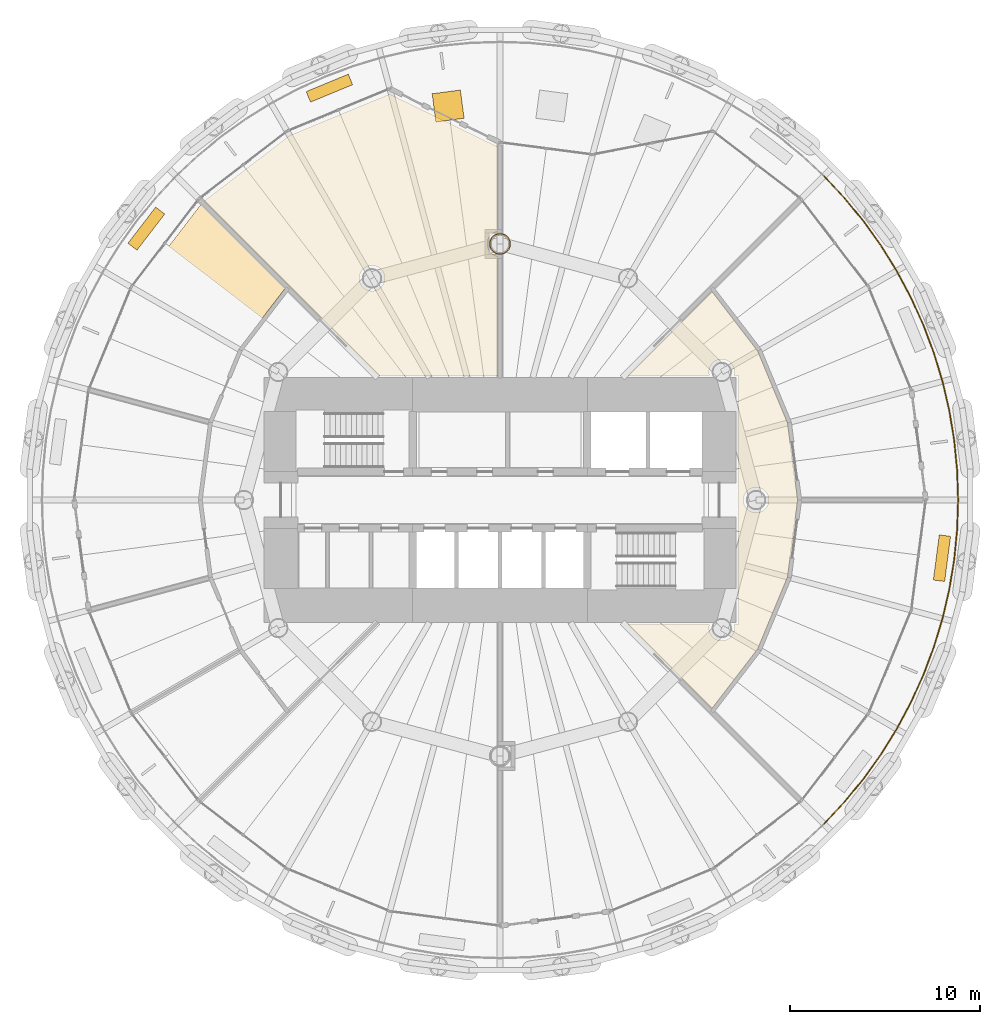
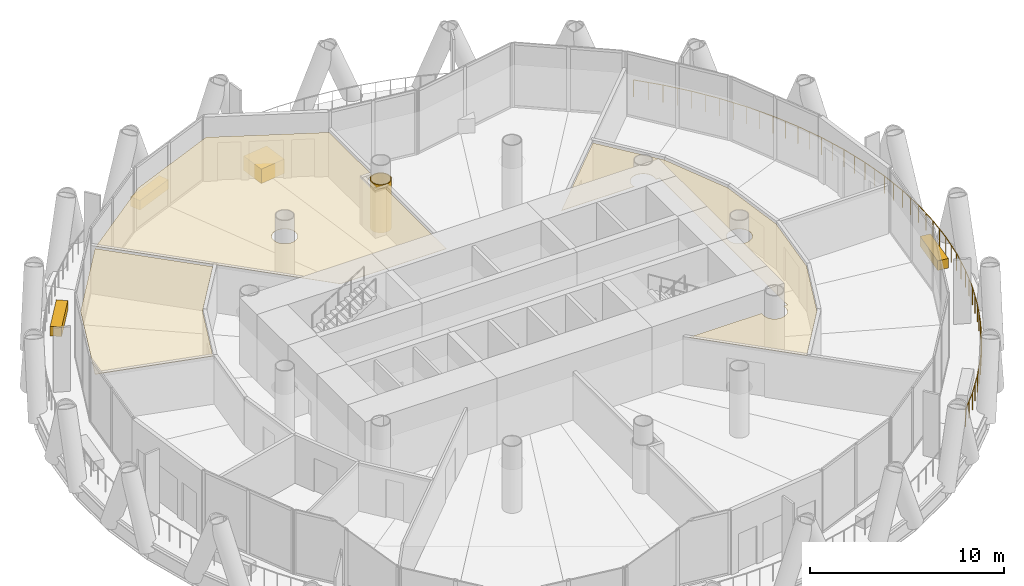
# One storey, part 14 of 15: 8 coverings, 1 railing.
"""IFC4 building model written with IfcOpenShell, lengths in metres."""

from ifc_helpers import new_model, si_unit, direction, frame, origin, origin_2d, place, context, subcontext, project, spatial, polyline, rectangle, circle, outline, extrude, material, layer, layer_set, type_object, element, save


model = new_model("IFC4")

# Units and contexts
model_context = context("Model", 3, precision=1e-05, world=origin(), true_north=direction((0.0, 1.0)))
body_context = subcontext(model_context, "Body", "Model", "MODEL_VIEW")
ifc_project = project(units=[si_unit("LENGTHUNIT", "METRE"), si_unit("AREAUNIT", "SQUARE_METRE"), si_unit("VOLUMEUNIT", "CUBIC_METRE"), si_unit("PLANEANGLEUNIT", "RADIAN"), si_unit("MASSUNIT", "GRAM", prefix="KILO")], contexts=[model_context])

# Site, building, storey
site_placement = place(None, origin())
site = spatial("IfcSite", under=ifc_project, at=site_placement, CompositionType="ELEMENT")
building_placement = place(site_placement, origin())
building = spatial("IfcBuilding", under=site, at=building_placement, Name="Qaws Media Tower", CompositionType="ELEMENT")
storey_placement = place(building_placement, frame((0.0, 0.0, 147.800048828125)))
storey = spatial("IfcBuildingStorey", under=building, at=storey_placement, Name="L33", CompositionType="ELEMENT", Elevation=147.800048828125)

# Railing
ifc_material_1 = material(Name="Stainless steel and glass guard", Category="steel")
railing_type = type_object("IfcRailingType", Name="Balcony guard 1100", PredefinedType="GUARDRAIL", material=ifc_material_1)
railing_placement = place(storey_placement, frame((77.07666015625, 32.92333984375, 0.0)))
element("IfcRailing", 1, at=railing_placement, inside=storey, type_object=railing_type, Name="GR1 balcony guard L33-4", PredefinedType="GUARDRAIL", context=body_context, shape_type="SweptSolid", body=[
    extrude(circle(Radius=0.02392578125, at=origin_2d()), frame((0.0, 0.0, 1.076171875), z_axis=(0.683555646709, 0.729898402418, 0.0), x_axis=(-0.729898402418, 0.683555646709, 0.0)), (0.0, 0.0, 1.0), 1.58056640625),
    extrude(circle(Radius=0.02392578125, at=origin_2d()), frame((1.080322265625, 1.153564453125, 1.076171875), z_axis=(0.63440657975, 0.772999541766, 0.0), x_axis=(-0.772999541766, 0.63440657975, 0.0)), (0.0, 0.0, 1.0), 1.580078125),
    extrude(circle(Radius=0.02392578125, at=origin_2d()), frame((2.082763671875, 2.375, 1.076171875), z_axis=(0.582508735945, 0.812824441406, 0.0), x_axis=(-0.812824441406, 0.582508735945, 0.0)), (0.0, 0.0, 1.0), 1.58056640625),
    extrude(circle(Radius=0.02392578125, at=origin_2d()), frame((3.00341796875, 3.65966796875, 1.076171875), z_axis=(0.52803952369, 0.849219795707, 0.0), x_axis=(-0.849219795707, 0.52803952369, 0.0)), (0.0, 0.0, 1.0), 1.580322265625),
    extrude(circle(Radius=0.02392578125, at=origin_2d()), frame((3.837890625, 5.001708984375, 1.076171875), z_axis=(0.471333764777, 0.881954920719, 0.0), x_axis=(-0.881954920719, 0.471333764777, 0.0)), (0.0, 0.0, 1.0), 1.580322265625),
    extrude(circle(Radius=0.02392578125, at=origin_2d()), frame((4.582763671875, 6.3955078125, 1.076171875), z_axis=(0.412778439287, 0.910831466331, 0.0), x_axis=(-0.910831466331, 0.412778439287, 0.0)), (0.0, 0.0, 1.0), 1.580322265625),
    extrude(circle(Radius=0.02392578125, at=origin_2d()), frame((5.235107421875, 7.8349609375, 1.076171875), z_axis=(0.352240609491, 0.935909479077, 0.0), x_axis=(-0.935909479077, 0.352240609491, 0.0)), (0.0, 0.0, 1.0), 1.580322265625),
    extrude(circle(Radius=0.02392578125, at=origin_2d()), frame((5.791748046875, 9.31396484375, 1.076171875), z_axis=(0.290294671331, 0.956937304005, 0.0), x_axis=(-0.956937304005, 0.290294671331, 0.0)), (0.0, 0.0, 1.0), 1.580322265625),
    extrude(circle(Radius=0.02392578125, at=origin_2d()), frame((6.25048828125, 10.826171875, 1.076171875), z_axis=(0.227092872212, 0.973873106411, 0.0), x_axis=(-0.973873106411, 0.227092872212, 0.0)), (0.0, 0.0, 1.0), 1.580322265625),
    extrude(circle(Radius=0.02392578125, at=origin_2d()), frame((6.609375, 12.365234375, 1.076171875), z_axis=(0.162820588709, 0.986655692677, 0.0), x_axis=(-0.986655692677, 0.162820588709, 0.0)), (0.0, 0.0, 1.0), 1.580322265625),
    extrude(circle(Radius=0.02392578125, at=origin_2d()), frame((6.86669921875, 13.924560546875, 1.076171875), z_axis=(0.098111534692, 0.995175425119, 0.0), x_axis=(-0.995175425119, 0.098111534692, 0.0)), (0.0, 0.0, 1.0), 1.580078125),
    extrude(circle(Radius=0.02392578125, at=origin_2d()), frame((7.021728515625, 15.4970703125, 1.076171875), z_axis=(0.032594727249, 0.999468650712, 0.0), x_axis=(-0.999468650712, 0.032594727249, 0.0)), (0.0, 0.0, 1.0), 1.580322265625),
    extrude(circle(Radius=0.02392578125, at=origin_2d()), frame((7.0732421875, 17.07666015625, 1.076171875), z_axis=(-0.032594727249, 0.999468650712, 0.0), x_axis=(-0.999468650712, -0.032594727249, 0.0)), (0.0, 0.0, 1.0), 1.580322265625),
    extrude(circle(Radius=0.02392578125, at=origin_2d()), frame((7.021728515625, 18.65625, 1.076171875), z_axis=(-0.098111534692, 0.995175425119, 0.0), x_axis=(-0.995175425119, -0.098111534692, 0.0)), (0.0, 0.0, 1.0), 1.580078125),
    extrude(circle(Radius=0.02392578125, at=origin_2d()), frame((6.86669921875, 20.228759765625, 1.076171875), z_axis=(-0.162820588709, 0.986655692677, 0.0), x_axis=(-0.986655692677, -0.162820588709, 0.0)), (0.0, 0.0, 1.0), 1.580322265625),
    extrude(circle(Radius=0.02392578125, at=origin_2d()), frame((6.609375, 21.7880859375, 1.076171875), z_axis=(-0.227092872212, 0.973873106411, 0.0), x_axis=(-0.973873106411, -0.227092872212, 0.0)), (0.0, 0.0, 1.0), 1.580322265625),
    extrude(circle(Radius=0.02392578125, at=origin_2d()), frame((6.25048828125, 23.3271484375, 1.076171875), z_axis=(-0.290294671331, 0.956937304005, 0.0), x_axis=(-0.956937304005, -0.290294671331, 0.0)), (0.0, 0.0, 1.0), 1.580322265625),
    extrude(circle(Radius=0.02392578125, at=origin_2d()), frame((5.791748046875, 24.83935546875, 1.076171875), z_axis=(-0.352240609491, 0.935909479077, 0.0), x_axis=(-0.935909479077, -0.352240609491, 0.0)), (0.0, 0.0, 1.0), 1.580322265625),
    extrude(circle(Radius=0.02392578125, at=origin_2d()), frame((5.235107421875, 26.318359375, 1.076171875), z_axis=(-0.412778439287, 0.910831466331, 0.0), x_axis=(-0.910831466331, -0.412778439287, 0.0)), (0.0, 0.0, 1.0), 1.580322265625),
    extrude(circle(Radius=0.02392578125, at=origin_2d()), frame((4.582763671875, 27.7578125, 1.076171875), z_axis=(-0.471333764777, 0.881954920719, 0.0), x_axis=(-0.881954920719, -0.471333764777, 0.0)), (0.0, 0.0, 1.0), 1.580322265625),
    extrude(circle(Radius=0.02392578125, at=origin_2d()), frame((3.837890625, 29.151611328125, 1.076171875), z_axis=(-0.52803952369, 0.849219795707, 0.0), x_axis=(-0.849219795707, -0.52803952369, 0.0)), (0.0, 0.0, 1.0), 1.580322265625),
    extrude(circle(Radius=0.02392578125, at=origin_2d()), frame((3.00341796875, 30.49365234375, 1.076171875), z_axis=(-0.582508735945, 0.812824441406, 0.0), x_axis=(-0.812824441406, -0.582508735945, 0.0)), (0.0, 0.0, 1.0), 1.58056640625),
    extrude(circle(Radius=0.02392578125, at=origin_2d()), frame((2.082763671875, 31.7783203125, 1.076171875), z_axis=(-0.63440657975, 0.772999541766, 0.0), x_axis=(-0.772999541766, -0.63440657975, 0.0)), (0.0, 0.0, 1.0), 1.580078125),
    extrude(circle(Radius=0.02392578125, at=origin_2d()), frame((1.080322265625, 32.999755859375, 1.076171875), z_axis=(-0.683555646709, 0.729898402418, 0.0), x_axis=(-0.729898402418, -0.683555646709, 0.0)), (0.0, 0.0, 1.0), 1.58056640625),
    extrude(circle(Radius=0.02099609375, at=origin_2d()), origin(), (0.0, 0.0, 1.0), 1.052001953125),
    extrude(circle(Radius=0.02099609375, at=origin_2d()), frame((0.5400390625, 0.57666015625, 0.0)), (0.0, 0.0, 1.0), 1.052001953125),
    extrude(circle(Radius=0.02099609375, at=origin_2d()), frame((1.080322265625, 1.153564453125, 0.0)), (0.0, 0.0, 1.0), 1.052001953125),
    extrude(circle(Radius=0.02099609375, at=origin_2d()), frame((1.58154296875, 1.76416015625, 0.0)), (0.0, 0.0, 1.0), 1.052001953125),
    extrude(circle(Radius=0.02099609375, at=origin_2d()), frame((2.082763671875, 2.375, 0.0)), (0.0, 0.0, 1.0), 1.052001953125),
    extrude(circle(Radius=0.02099609375, at=origin_2d()), frame((2.54296875, 3.017333984375, 0.0)), (0.0, 0.0, 1.0), 1.052001953125),
    extrude(circle(Radius=0.02099609375, at=origin_2d()), frame((3.00341796875, 3.65966796875, 0.0)), (0.0, 0.0, 1.0), 1.052001953125),
    extrude(circle(Radius=0.02099609375, at=origin_2d()), frame((3.420654296875, 4.33056640625, 0.0)), (0.0, 0.0, 1.0), 1.052001953125),
    extrude(circle(Radius=0.02099609375, at=origin_2d()), frame((3.837890625, 5.001708984375, 0.0)), (0.0, 0.0, 1.0), 1.052001953125),
    extrude(circle(Radius=0.02099609375, at=origin_2d()), frame((4.21044921875, 5.69873046875, 0.0)), (0.0, 0.0, 1.0), 1.052001953125),
    extrude(circle(Radius=0.02099609375, at=origin_2d()), frame((4.582763671875, 6.3955078125, 0.0)), (0.0, 0.0, 1.0), 1.052001953125),
    extrude(circle(Radius=0.02099609375, at=origin_2d()), frame((4.908935546875, 7.115234375, 0.0)), (0.0, 0.0, 1.0), 1.052001953125),
    extrude(circle(Radius=0.02099609375, at=origin_2d()), frame((5.235107421875, 7.8349609375, 0.0)), (0.0, 0.0, 1.0), 1.052001953125),
    extrude(circle(Radius=0.02099609375, at=origin_2d()), frame((5.513427734375, 8.574462890625, 0.0)), (0.0, 0.0, 1.0), 1.052001953125),
    extrude(circle(Radius=0.02099609375, at=origin_2d()), frame((5.791748046875, 9.31396484375, 0.0)), (0.0, 0.0, 1.0), 1.052001953125),
    extrude(circle(Radius=0.02099609375, at=origin_2d()), frame((6.02099609375, 10.070068359375, 0.0)), (0.0, 0.0, 1.0), 1.052001953125),
    extrude(circle(Radius=0.02099609375, at=origin_2d()), frame((6.25048828125, 10.826171875, 0.0)), (0.0, 0.0, 1.0), 1.052001953125),
    extrude(circle(Radius=0.02099609375, at=origin_2d()), frame((6.429931640625, 11.595703125, 0.0)), (0.0, 0.0, 1.0), 1.052001953125),
    extrude(circle(Radius=0.02099609375, at=origin_2d()), frame((6.609375, 12.365234375, 0.0)), (0.0, 0.0, 1.0), 1.052001953125),
    extrude(circle(Radius=0.02099609375, at=origin_2d()), frame((6.738037109375, 13.14501953125, 0.0)), (0.0, 0.0, 1.0), 1.052001953125),
    extrude(circle(Radius=0.02099609375, at=origin_2d()), frame((6.86669921875, 13.924560546875, 0.0)), (0.0, 0.0, 1.0), 1.052001953125),
    extrude(circle(Radius=0.02099609375, at=origin_2d()), frame((6.9443359375, 14.7109375, 0.0)), (0.0, 0.0, 1.0), 1.052001953125),
    extrude(circle(Radius=0.02099609375, at=origin_2d()), frame((7.021728515625, 15.4970703125, 0.0)), (0.0, 0.0, 1.0), 1.052001953125),
    extrude(circle(Radius=0.02099609375, at=origin_2d()), frame((7.04736328125, 16.286865234375, 0.0)), (0.0, 0.0, 1.0), 1.052001953125),
    extrude(circle(Radius=0.02099609375, at=origin_2d()), frame((7.0732421875, 17.07666015625, 0.0)), (0.0, 0.0, 1.0), 1.052001953125),
    extrude(circle(Radius=0.02099609375, at=origin_2d()), frame((7.04736328125, 17.866455078125, 0.0)), (0.0, 0.0, 1.0), 1.052001953125),
    extrude(circle(Radius=0.02099609375, at=origin_2d()), frame((7.021728515625, 18.65625, 0.0)), (0.0, 0.0, 1.0), 1.052001953125),
    extrude(circle(Radius=0.02099609375, at=origin_2d()), frame((6.9443359375, 19.4423828125, 0.0)), (0.0, 0.0, 1.0), 1.052001953125),
    extrude(circle(Radius=0.02099609375, at=origin_2d()), frame((6.86669921875, 20.228759765625, 0.0)), (0.0, 0.0, 1.0), 1.052001953125),
    extrude(circle(Radius=0.02099609375, at=origin_2d()), frame((6.738037109375, 21.00830078125, 0.0)), (0.0, 0.0, 1.0), 1.052001953125),
    extrude(circle(Radius=0.02099609375, at=origin_2d()), frame((6.609375, 21.7880859375, 0.0)), (0.0, 0.0, 1.0), 1.052001953125),
    extrude(circle(Radius=0.02099609375, at=origin_2d()), frame((6.429931640625, 22.5576171875, 0.0)), (0.0, 0.0, 1.0), 1.052001953125),
    extrude(circle(Radius=0.02099609375, at=origin_2d()), frame((6.25048828125, 23.3271484375, 0.0)), (0.0, 0.0, 1.0), 1.052001953125),
    extrude(circle(Radius=0.02099609375, at=origin_2d()), frame((6.02099609375, 24.083251953125, 0.0)), (0.0, 0.0, 1.0), 1.052001953125),
    extrude(circle(Radius=0.02099609375, at=origin_2d()), frame((5.791748046875, 24.83935546875, 0.0)), (0.0, 0.0, 1.0), 1.052001953125),
    extrude(circle(Radius=0.02099609375, at=origin_2d()), frame((5.513427734375, 25.578857421875, 0.0)), (0.0, 0.0, 1.0), 1.052001953125),
    extrude(circle(Radius=0.02099609375, at=origin_2d()), frame((5.235107421875, 26.318359375, 0.0)), (0.0, 0.0, 1.0), 1.052001953125),
    extrude(circle(Radius=0.02099609375, at=origin_2d()), frame((4.908935546875, 27.0380859375, 0.0)), (0.0, 0.0, 1.0), 1.052001953125),
    extrude(circle(Radius=0.02099609375, at=origin_2d()), frame((4.582763671875, 27.7578125, 0.0)), (0.0, 0.0, 1.0), 1.052001953125),
    extrude(circle(Radius=0.02099609375, at=origin_2d()), frame((4.21044921875, 28.45458984375, 0.0)), (0.0, 0.0, 1.0), 1.052001953125),
    extrude(circle(Radius=0.02099609375, at=origin_2d()), frame((3.837890625, 29.151611328125, 0.0)), (0.0, 0.0, 1.0), 1.052001953125),
    extrude(circle(Radius=0.02099609375, at=origin_2d()), frame((3.420654296875, 29.82275390625, 0.0)), (0.0, 0.0, 1.0), 1.052001953125),
    extrude(circle(Radius=0.02099609375, at=origin_2d()), frame((3.00341796875, 30.49365234375, 0.0)), (0.0, 0.0, 1.0), 1.052001953125),
    extrude(circle(Radius=0.02099609375, at=origin_2d()), frame((2.54296875, 31.135986328125, 0.0)), (0.0, 0.0, 1.0), 1.052001953125),
    extrude(circle(Radius=0.02099609375, at=origin_2d()), frame((2.082763671875, 31.7783203125, 0.0)), (0.0, 0.0, 1.0), 1.052001953125),
    extrude(circle(Radius=0.02099609375, at=origin_2d()), frame((1.58154296875, 32.38916015625, 0.0)), (0.0, 0.0, 1.0), 1.052001953125),
    extrude(circle(Radius=0.02099609375, at=origin_2d()), frame((1.080322265625, 32.999755859375, 0.0)), (0.0, 0.0, 1.0), 1.052001953125),
    extrude(circle(Radius=0.02099609375, at=origin_2d()), frame((0.5400390625, 33.57666015625, 0.0)), (0.0, 0.0, 1.0), 1.052001953125),
    extrude(circle(Radius=0.02099609375, at=origin_2d()), frame((0.0, 34.1533203125, 0.0)), (0.0, 0.0, 1.0), 1.052001953125),
])

# Coverings
ifc_material_2 = material(Name="Two layers 15 fire-rated gypsum board on steel framing", Category="steel")
ifc_layer_1 = layer(ifc_material_2, 0.050048828125)
ifc_layer_set_1 = layer_set([ifc_layer_1], Name="Column fire casing")
covering_type_1 = type_object("IfcCoveringType", Name="Column fire casing", PredefinedType="CLADDING", material=ifc_layer_set_1)
covering_1_placement = place(storey_placement, origin())
element("IfcCovering", 2, at=covering_1_placement, inside=storey, type_object=covering_type_1, Name="CC1 column casing L33", PredefinedType="CLADDING", context=body_context, shape_type="SweptSolid", body=[
    extrude(outline(polyline([(60.56298828125, 63.5), (60.55810546875, 63.426513671875), (60.543701171875, 63.354248046875), (60.52001953125, 63.284423828125), (60.487548828125, 63.218505859375), (60.44677734375, 63.1572265625), (60.398193359375, 63.101806640625), (60.3427734375, 63.05322265625), (60.281494140625, 63.012451171875), (60.215576171875, 62.97998046875), (60.145751953125, 62.956298828125), (60.073486328125, 62.94189453125), (60.0, 62.93701171875), (59.926513671875, 62.94189453125), (59.854248046875, 62.956298828125), (59.784423828125, 62.97998046875), (59.718505859375, 63.012451171875), (59.6572265625, 63.05322265625), (59.601806640625, 63.101806640625), (59.55322265625, 63.1572265625), (59.512451171875, 63.218505859375), (59.47998046875, 63.284423828125), (59.456298828125, 63.354248046875), (59.44189453125, 63.426513671875), (59.43701171875, 63.5), (59.44189453125, 63.573486328125), (59.456298828125, 63.645751953125), (59.47998046875, 63.715576171875), (59.512451171875, 63.781494140625), (59.55322265625, 63.8427734375), (59.601806640625, 63.898193359375), (59.6572265625, 63.94677734375), (59.718505859375, 63.987548828125), (59.784423828125, 64.02001953125), (59.854248046875, 64.043701171875), (59.926513671875, 64.05810546875), (60.0, 64.06298828125), (60.073486328125, 64.05810546875), (60.145751953125, 64.043701171875), (60.215576171875, 64.02001953125), (60.281494140625, 63.987548828125), (60.3427734375, 63.94677734375), (60.398193359375, 63.898193359375), (60.44677734375, 63.8427734375), (60.487548828125, 63.781494140625), (60.52001953125, 63.715576171875), (60.543701171875, 63.645751953125), (60.55810546875, 63.573486328125), (60.56298828125, 63.5)]), holes=[polyline([(60.510986328125, 63.5), (60.506591796875, 63.433349609375), (60.49365234375, 63.36767578125), (60.47216796875, 63.304443359375), (60.4423828125, 63.244384765625), (60.405517578125, 63.18896484375), (60.361328125, 63.138671875), (60.31103515625, 63.094482421875), (60.255615234375, 63.0576171875), (60.195556640625, 63.02783203125), (60.13232421875, 63.00634765625), (60.066650390625, 62.993408203125), (60.0, 62.989013671875), (59.933349609375, 62.993408203125), (59.86767578125, 63.00634765625), (59.804443359375, 63.02783203125), (59.744384765625, 63.0576171875), (59.68896484375, 63.094482421875), (59.638671875, 63.138671875), (59.594482421875, 63.18896484375), (59.5576171875, 63.244384765625), (59.52783203125, 63.304443359375), (59.50634765625, 63.36767578125), (59.493408203125, 63.433349609375), (59.489013671875, 63.5), (59.493408203125, 63.566650390625), (59.50634765625, 63.63232421875), (59.52783203125, 63.695556640625), (59.5576171875, 63.755615234375), (59.594482421875, 63.81103515625), (59.638671875, 63.861328125), (59.68896484375, 63.905517578125), (59.744384765625, 63.9423828125), (59.804443359375, 63.97216796875), (59.86767578125, 63.99365234375), (59.933349609375, 64.006591796875), (60.0, 64.010986328125), (60.066650390625, 64.006591796875), (60.13232421875, 63.99365234375), (60.195556640625, 63.97216796875), (60.255615234375, 63.9423828125), (60.31103515625, 63.905517578125), (60.361328125, 63.861328125), (60.405517578125, 63.81103515625), (60.4423828125, 63.755615234375), (60.47216796875, 63.695556640625), (60.49365234375, 63.63232421875), (60.506591796875, 63.566650390625), (60.510986328125, 63.5)])]), origin(), (0.0, 0.0, 1.0), 3.02001953125),
])
ifc_material_3 = material(Name="600 x 600 mineral fibre tiles in exposed grid, suspended", Category="mineral fibre")
ifc_layer_2 = layer(ifc_material_3, 0.02001953125)
ifc_layer_set_2 = layer_set([ifc_layer_2], Name="Mineral fibre tile ceiling 20")
covering_type_2 = type_object("IfcCoveringType", Name="Mineral fibre tile ceiling 20", PredefinedType="CEILING", material=ifc_layer_set_2)
covering_2_placement = place(storey_placement, frame((0.0, 0.0, 2.849853515625)))
element("IfcCovering", 3, at=covering_2_placement, inside=storey, type_object=covering_type_2, Name="CL1 ceiling L33-01 Corridor", PredefinedType="CEILING", context=body_context, shape_type="SweptSolid", body=[
    extrude(outline(polyline([(73.5849609375, 57.84326171875), (75.152099609375, 54.06005859375), (75.6865234375, 50.0), (75.152099609375, 45.93994140625), (73.5849609375, 42.15673828125), (71.1611328125, 38.998046875), (66.7216796875, 43.4375), (71.051025390625, 43.4375), (71.046142578125, 43.4228515625), (71.029052734375, 43.337158203125), (71.023193359375, 43.25), (71.029052734375, 43.162841796875), (71.046142578125, 43.0771484375), (71.07421875, 42.994384765625), (71.11279296875, 42.916015625), (71.161376953125, 42.84326171875), (71.218994140625, 42.777587890625), (71.28466796875, 42.719970703125), (71.357421875, 42.67138671875), (71.435791015625, 42.6328125), (71.5185546875, 42.604736328125), (71.604248046875, 42.587646484375), (71.69140625, 42.58203125), (71.778564453125, 42.587646484375), (71.8642578125, 42.604736328125), (71.947021484375, 42.6328125), (72.025390625, 42.67138671875), (72.097900390625, 42.719970703125), (72.163818359375, 42.777587890625), (72.22119140625, 42.84326171875), (72.269775390625, 42.916015625), (72.30859375, 42.994384765625), (72.336669921875, 43.0771484375), (72.353515625, 43.162841796875), (72.359375, 43.25), (72.353515625, 43.337158203125), (72.336669921875, 43.4228515625), (72.33154296875, 43.4375), (72.5625, 43.4375), (72.5625, 56.5625), (72.33154296875, 56.5625), (72.336669921875, 56.5771484375), (72.353515625, 56.662841796875), (72.359375, 56.75), (72.353515625, 56.837158203125), (72.336669921875, 56.9228515625), (72.30859375, 57.005615234375), (72.269775390625, 57.083984375), (72.22119140625, 57.15673828125), (72.163818359375, 57.222412109375), (72.097900390625, 57.280029296875), (72.025390625, 57.32861328125), (71.947021484375, 57.3671875), (71.8642578125, 57.395263671875), (71.778564453125, 57.412353515625), (71.69140625, 57.41796875), (71.604248046875, 57.412353515625), (71.5185546875, 57.395263671875), (71.435791015625, 57.3671875), (71.357421875, 57.32861328125), (71.28466796875, 57.280029296875), (71.218994140625, 57.222412109375), (71.161376953125, 57.15673828125), (71.11279296875, 57.083984375), (71.07421875, 57.005615234375), (71.046142578125, 56.9228515625), (71.029052734375, 56.837158203125), (71.023193359375, 56.75), (71.029052734375, 56.662841796875), (71.046142578125, 56.5771484375), (71.051025390625, 56.5625), (66.7216796875, 56.5625), (71.1611328125, 61.001953125), (73.5849609375, 57.84326171875)]), holes=[polyline([(74.145263671875, 49.8271484375), (74.162353515625, 49.912841796875), (74.16796875, 50.0), (74.162353515625, 50.087158203125), (74.145263671875, 50.1728515625), (74.1171875, 50.255615234375), (74.07861328125, 50.333984375), (74.030029296875, 50.40673828125), (73.972412109375, 50.472412109375), (73.90673828125, 50.530029296875), (73.833984375, 50.57861328125), (73.755615234375, 50.6171875), (73.6728515625, 50.645263671875), (73.587158203125, 50.662353515625), (73.5, 50.66796875), (73.412841796875, 50.662353515625), (73.3271484375, 50.645263671875), (73.244384765625, 50.6171875), (73.166015625, 50.57861328125), (73.09326171875, 50.530029296875), (73.027587890625, 50.472412109375), (72.969970703125, 50.40673828125), (72.92138671875, 50.333984375), (72.8828125, 50.255615234375), (72.854736328125, 50.1728515625), (72.837646484375, 50.087158203125), (72.83203125, 50.0), (72.837646484375, 49.912841796875), (72.854736328125, 49.8271484375), (72.8828125, 49.744384765625), (72.92138671875, 49.666015625), (72.969970703125, 49.59326171875), (73.027587890625, 49.527587890625), (73.09326171875, 49.469970703125), (73.166015625, 49.42138671875), (73.244384765625, 49.3828125), (73.3271484375, 49.354736328125), (73.412841796875, 49.337646484375), (73.5, 49.33203125), (73.587158203125, 49.337646484375), (73.6728515625, 49.354736328125), (73.755615234375, 49.3828125), (73.833984375, 49.42138671875), (73.90673828125, 49.469970703125), (73.972412109375, 49.527587890625), (74.030029296875, 49.59326171875), (74.07861328125, 49.666015625), (74.1171875, 49.744384765625), (74.145263671875, 49.8271484375)])]), origin(), (0.0, 0.0, 1.0), 0.02001953125),
])
covering_3_placement = place(storey_placement, frame((0.0, 0.0, 2.849853515625)))
element("IfcCovering", 4, at=covering_3_placement, inside=storey, type_object=covering_type_2, Name="CL1 ceiling L33-04 Network operations room", PredefinedType="CEILING", context=body_context, shape_type="SweptSolid", body=[
    extrude(outline(polyline([(48.907470703125, 69.212890625), (54.1806640625, 71.397216796875), (59.887451171875, 68.61279296875), (59.887451171875, 64.1572265625), (59.8271484375, 64.145263671875), (59.744384765625, 64.1171875), (59.666015625, 64.07861328125), (59.59326171875, 64.030029296875), (59.527587890625, 63.972412109375), (59.469970703125, 63.90673828125), (59.42138671875, 63.833984375), (59.3828125, 63.755615234375), (59.354736328125, 63.6728515625), (59.337646484375, 63.587158203125), (59.33203125, 63.5), (59.337646484375, 63.412841796875), (59.354736328125, 63.3271484375), (59.3828125, 63.244384765625), (59.42138671875, 63.166015625), (59.469970703125, 63.09326171875), (59.527587890625, 63.027587890625), (59.59326171875, 62.969970703125), (59.666015625, 62.92138671875), (59.744384765625, 62.8828125), (59.8271484375, 62.854736328125), (59.887451171875, 62.8427734375), (59.887451171875, 56.5625), (53.5966796875, 56.5625), (44.402587890625, 65.75634765625), (48.907470703125, 69.212890625)]), holes=[polyline([(53.8671875, 61.435791015625), (53.895263671875, 61.5185546875), (53.912353515625, 61.604248046875), (53.91796875, 61.69140625), (53.912353515625, 61.778564453125), (53.895263671875, 61.8642578125), (53.8671875, 61.947021484375), (53.82861328125, 62.025390625), (53.780029296875, 62.097900390625), (53.722412109375, 62.163818359375), (53.65673828125, 62.22119140625), (53.583984375, 62.269775390625), (53.505615234375, 62.30859375), (53.4228515625, 62.336669921875), (53.337158203125, 62.353515625), (53.25, 62.359375), (53.162841796875, 62.353515625), (53.0771484375, 62.336669921875), (52.994384765625, 62.30859375), (52.916015625, 62.269775390625), (52.84326171875, 62.22119140625), (52.777587890625, 62.163818359375), (52.719970703125, 62.097900390625), (52.67138671875, 62.025390625), (52.6328125, 61.947021484375), (52.604736328125, 61.8642578125), (52.587646484375, 61.778564453125), (52.58203125, 61.69140625), (52.587646484375, 61.604248046875), (52.604736328125, 61.5185546875), (52.6328125, 61.435791015625), (52.67138671875, 61.357421875), (52.719970703125, 61.28466796875), (52.777587890625, 61.218994140625), (52.84326171875, 61.161376953125), (52.916015625, 61.11279296875), (52.994384765625, 61.07421875), (53.0771484375, 61.046142578125), (53.162841796875, 61.029052734375), (53.25, 61.023193359375), (53.337158203125, 61.029052734375), (53.4228515625, 61.046142578125), (53.505615234375, 61.07421875), (53.583984375, 61.11279296875), (53.65673828125, 61.161376953125), (53.722412109375, 61.218994140625), (53.780029296875, 61.28466796875), (53.82861328125, 61.357421875), (53.8671875, 61.435791015625)])]), origin(), (0.0, 0.0, 1.0), 0.02001953125),
])
ifc_material_4 = material(Name="Precast concrete planter with trailing planting", Category="concrete")
ifc_layer_3 = layer(ifc_material_4, 0.60009765625)
ifc_layer_set_3 = layer_set([ifc_layer_3], Name="Planter 2400x600")
covering_type_3 = type_object("IfcCoveringType", Name="Planter 2400x600", PredefinedType="USERDEFINED", material=ifc_layer_set_3)
for number, where, z_axis, x_axis, name in (
    (5, (51.0068359375, 71.711181640625, 0.0), (0.0, 0.0, 1.0), (-0.923879532511, -0.382683432365, 0.0), "PL1 balcony planter L33-04"),
    (6, (41.356201171875, 64.305908203125, 0.0), (0.0, 0.0, 1.0), (-0.608761429009, -0.793353340291, 0.0), "PL1 balcony planter L33-05"),
    (7, (83.299072265625, 46.9326171875, 0.0), (0.0, 0.0, 1.0), (0.13052619222, 0.991444861374, 0.0), "PL1 balcony planter L33-12"),
):
    element("IfcCovering", number, at=place(storey_placement, frame(where, z_axis=z_axis, x_axis=x_axis)), inside=storey, type_object=covering_type_3, Name=name, ObjectType="PLANTER", PredefinedType="USERDEFINED", context=body_context, shape_type="SweptSolid", body=[
        extrude(rectangle(XDim=2.39990234375, YDim=0.60009765625, at=origin_2d()), origin(), (0.0, 0.0, 1.0), 0.60009765625),
    ])
ifc_material_5 = material(Name="Two layers 12.5 moisture-resistant plasterboard on suspended metal furring", Category="gypsum")
ifc_layer_4 = layer(ifc_material_5, 0.02490234375)
ifc_layer_set_4 = layer_set([ifc_layer_4], Name="Plasterboard ceiling 25")
covering_type_4 = type_object("IfcCoveringType", Name="Plasterboard ceiling 25", PredefinedType="CEILING", material=ifc_layer_set_4)
covering_4_placement = place(storey_placement, frame((0.0, 0.0, 2.849853515625)))
element("IfcCovering", 8, at=covering_4_placement, inside=storey, type_object=covering_type_4, Name="CL2 ceiling L33-05 Help desk", PredefinedType="CEILING", context=body_context, shape_type="SweptSolid", body=[
    extrude(outline(polyline([(40.787109375, 61.092529296875), (44.24365234375, 65.597412109375), (48.678466796875, 61.16259765625), (46.218505859375, 57.956787109375), (44.672119140625, 54.223388671875), (38.614013671875, 55.8466796875), (40.787109375, 61.092529296875)])), origin(), (0.0, 0.0, 1.0), 0.025146484375),
])
ifc_material_6 = material(Name="Precast concrete tree planter", Category="concrete")
ifc_layer_5 = layer(ifc_material_6, 0.89990234375)
ifc_layer_set_5 = layer_set([ifc_layer_5], Name="Tree planter 1500")
covering_type_5 = type_object("IfcCoveringType", Name="Tree planter 1500", PredefinedType="USERDEFINED", material=ifc_layer_set_5)
covering_5_placement = place(storey_placement, frame((57.265380859375, 70.770751953125, 0.0), z_axis=(0.0, 0.0, 1.0), x_axis=(-0.13052619222, 0.991444861374, 0.0)))
element("IfcCovering", 9, at=covering_5_placement, inside=storey, type_object=covering_type_5, Name="PL2 sky garden tree planter L33-3", ObjectType="PLANTER", PredefinedType="USERDEFINED", context=body_context, shape_type="SweptSolid", body=[
    extrude(rectangle(XDim=1.5, YDim=1.5, at=origin_2d()), origin(), (0.0, 0.0, 1.0), 0.89990234375),
])

save(model, "model.ifc")
